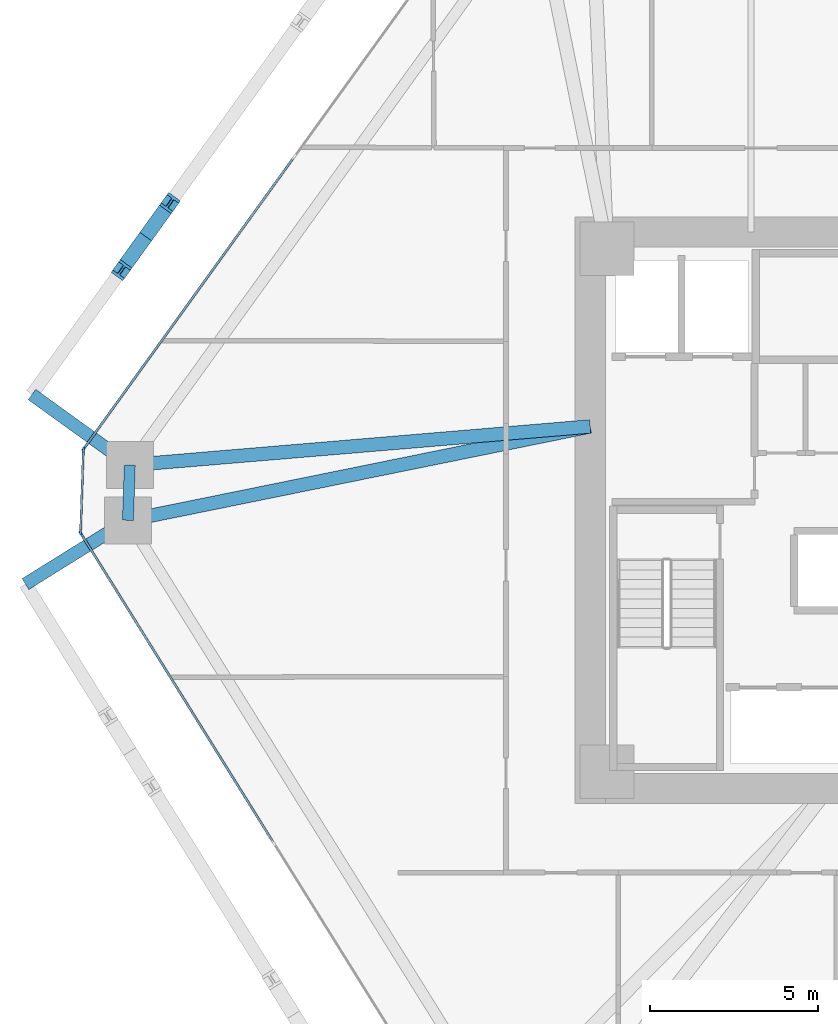
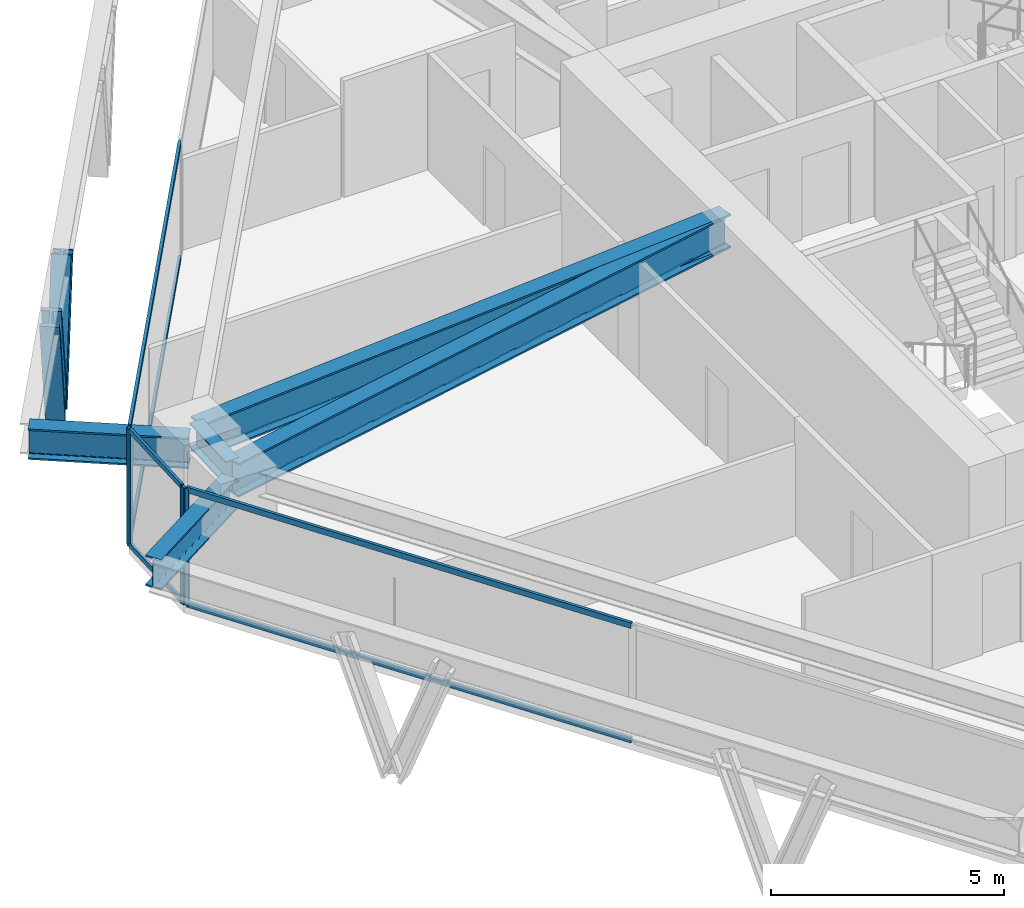
# One storey, part 4 of 15: 12 members, 5 beams, 3 elements without a shape of their own.
"""IFC4 building model written with IfcOpenShell, lengths in metres."""

from ifc_helpers import new_model, si_unit, direction, frame, origin, origin_2d, place, context, subcontext, project, spatial, rectangle, i_section, extrude, source, transform, mapped, material, layer, layer_set, material_profile, profile_set, type_object, type_shapes, element, aggregate, save


model = new_model("IFC4")

# Units and contexts
model_context = context("Model", 3, precision=1e-05, world=origin(), true_north=direction((0.0, 1.0)))
body_context = subcontext(model_context, "Body", "Model", "MODEL_VIEW")
ifc_project = project(units=[si_unit("LENGTHUNIT", "METRE"), si_unit("AREAUNIT", "SQUARE_METRE"), si_unit("VOLUMEUNIT", "CUBIC_METRE"), si_unit("PLANEANGLEUNIT", "RADIAN"), si_unit("MASSUNIT", "GRAM", prefix="KILO")], contexts=[model_context])

# Site, building, storey
site_placement = place(None, origin())
site = spatial("IfcSite", under=ifc_project, at=site_placement, CompositionType="ELEMENT")
building_placement = place(site_placement, origin())
building = spatial("IfcBuilding", under=site, at=building_placement, Name="Durnholm Broadcast Tower", CompositionType="ELEMENT")
storey_placement = place(building_placement, frame((0.0, 0.0, 42.300048828125)))
storey = spatial("IfcBuildingStorey", under=building, at=storey_placement, Name="L09", CompositionType="ELEMENT", Elevation=42.300048828125)

# Beams
ifc_material_1 = material(Name="Steel ASTM A992 Grade 50", Category="steel")
ifc_material_profile_1 = material_profile(ifc_material_1, i_section(OverallWidth=0.3291015625, OverallDepth=0.635009765625, WebThickness=0.017822265625, FlangeThickness=0.031005859375, FilletRadius=0.02783203125, at=origin_2d()), Name="W24X162")
ifc_profile_set_1 = profile_set([ifc_material_profile_1], Name="Steel ASTM A992 Grade 50")
beam_type_1 = type_object("IfcBeamType", Name="STL-SP-W24X162", PredefinedType="SPANDREL", material=ifc_profile_set_1)
shared_shape_1 = source(origin(), body_context, "Body", "SweptSolid", [
    extrude(i_section(OverallWidth=0.3291015625, OverallDepth=0.635009765625, WebThickness=0.017822265625, FlangeThickness=0.031005859375, FilletRadius=0.02783203125, at=origin_2d()), origin(), (0.0, 0.0, 1.0), 1.648193359375),
])
type_shapes(beam_type_1, [shared_shape_1])
beam_1_placement = place(storey_placement, frame((-24.0908203125, -0.2998046875, 2.7275390625), z_axis=(0.033921477804, 0.999424501072, 0.0), x_axis=(-0.999424501072, 0.033921477804, 0.0)))
element("IfcBeam", 1, at=beam_1_placement, inside=storey, type_object=beam_type_1, Name="L09 perimeter spandrel girder 02", PredefinedType="SPANDREL", context=body_context, shape_type="MappedRepresentation", body=[
    mapped(shared_shape_1, transform((0.0, 0.0, 0.0), x_axis=(1.0, 0.0, 0.0), y_axis=(0.0, 1.0, 0.0), z_axis=(0.0, 0.0, 1.0), scale=1.0)),
])
ifc_material_profile_2 = material_profile(ifc_material_1, i_section(OverallWidth=0.404052734375, OverallDepth=0.885009765625, WebThickness=0.0244140625, FlangeThickness=0.0439453125, FilletRadius=0.03564453125, at=origin_2d()), Name="W33X291")
ifc_profile_set_2 = profile_set([ifc_material_profile_2], Name="Steel ASTM A992 Grade 50")
beam_type_2 = type_object("IfcBeamType", Name="STL-GR-W33X291", PredefinedType="USERDEFINED", material=ifc_profile_set_2)
shared_shape_2 = source(origin(), body_context, "Body", "SweptSolid", [
    extrude(i_section(OverallWidth=0.404052734375, OverallDepth=0.885009765625, WebThickness=0.0244140625, FlangeThickness=0.0439453125, FilletRadius=0.03564453125, at=origin_2d()), origin(), (0.0, 0.0, 1.0), 14.072021484375),
])
beam_2_placement = place(storey_placement, frame((-10.300048828125, 2.5, 2.6025390625), z_axis=(-0.980007356767, -0.198961254225, 0.0), x_axis=(0.198961254225, -0.980007356767, 0.0)))
element("IfcBeam", 2, at=beam_2_placement, inside=storey, type_object=beam_type_2, Name="L09 radial primary floor girder 02", ObjectType="GIRDER", PredefinedType="USERDEFINED", context=body_context, shape_type="MappedRepresentation", body=[
    mapped(shared_shape_2, transform((0.0, 0.0, 0.0), x_axis=(1.0, 0.0, 0.0), y_axis=(0.0, 1.0, 0.0), z_axis=(0.0, 0.0, 1.0), scale=1.0)),
])
shared_shape_3 = source(origin(), body_context, "Body", "SweptSolid", [
    extrude(i_section(OverallWidth=0.404052734375, OverallDepth=0.885009765625, WebThickness=0.0244140625, FlangeThickness=0.0439453125, FilletRadius=0.03564453125, at=origin_2d()), origin(), (0.0, 0.0, 1.0), 13.783203125),
])
type_shapes(beam_type_2, [shared_shape_2, shared_shape_3])
beam_3_placement = place(storey_placement, frame((-10.300048828125, 2.5, 2.6025390625), z_axis=(-0.996497460403, -0.083623031579, 0.0), x_axis=(0.083623031579, -0.996497460403, 0.0)))
element("IfcBeam", 3, at=beam_3_placement, inside=storey, type_object=beam_type_2, Name="L09 radial primary floor girder 03", ObjectType="GIRDER", PredefinedType="USERDEFINED", context=body_context, shape_type="MappedRepresentation", body=[
    mapped(shared_shape_3, transform((0.0, 0.0, 0.0), x_axis=(1.0, 0.0, 0.0), y_axis=(0.0, 1.0, 0.0), z_axis=(0.0, 0.0, 1.0), scale=1.0)),
])
ifc_material_profile_3 = material_profile(ifc_material_1, i_section(OverallWidth=0.385009765625, OverallDepth=0.802978515625, WebThickness=0.023681640625, FlangeThickness=0.0419921875, FilletRadius=0.032958984375, at=origin_2d()), Name="W30X261")
ifc_profile_set_3 = profile_set([ifc_material_profile_3], Name="Steel ASTM A992 Grade 50")
beam_type_3 = type_object("IfcBeamType", Name="BM-EXO-TIE", PredefinedType="USERDEFINED", material=ifc_profile_set_3)
shared_shape_4 = source(origin(), body_context, "Body", "SweptSolid", [
    extrude(i_section(OverallWidth=0.385009765625, OverallDepth=0.802978515625, WebThickness=0.023681640625, FlangeThickness=0.0419921875, FilletRadius=0.032958984375, at=origin_2d()), origin(), (0.0, 0.0, 1.0), 3.4560546875),
])
beam_4_placement = place(storey_placement, frame((-24.212890625, -0.375732421875, 2.30859375), z_axis=(-0.848874183218, -0.528594949906, 0.0), x_axis=(0.528594949906, -0.848874183218, 0.0)))
element("IfcBeam", 4, at=beam_4_placement, inside=storey, type_object=beam_type_3, Name="L09 exoskeleton stand-off tie bracket F6.1", ObjectType="GIRDER", PredefinedType="USERDEFINED", context=body_context, shape_type="MappedRepresentation", body=[
    mapped(shared_shape_4, transform((0.0, 0.0, 0.0), x_axis=(1.0, 0.0, 0.0), y_axis=(0.0, 1.0, 0.0), z_axis=(0.0, 0.0, 1.0), scale=1.0)),
])
shared_shape_5 = source(origin(), body_context, "Body", "SweptSolid", [
    extrude(i_section(OverallWidth=0.385009765625, OverallDepth=0.802978515625, WebThickness=0.023681640625, FlangeThickness=0.0419921875, FilletRadius=0.032958984375, at=origin_2d()), origin(), (0.0, 0.0, 1.0), 3.455810546875),
])
type_shapes(beam_type_3, [shared_shape_4, shared_shape_5])
beam_5_placement = place(storey_placement, frame((-24.15185546875, 1.431396484375, 2.30859375), z_axis=(-0.811133512552, 0.584861030344, 0.0), x_axis=(-0.584861030344, -0.811133512552, 0.0)))
element("IfcBeam", 5, at=beam_5_placement, inside=storey, type_object=beam_type_3, Name="L09 exoskeleton stand-off tie bracket F5.2", ObjectType="GIRDER", PredefinedType="USERDEFINED", context=body_context, shape_type="MappedRepresentation", body=[
    mapped(shared_shape_5, transform((0.0, 0.0, 0.0), x_axis=(1.0, 0.0, 0.0), y_axis=(0.0, 1.0, 0.0), z_axis=(0.0, 0.0, 1.0), scale=1.0)),
])

# Members
ifc_material_2 = material(Name="Steel ASTM A913 Grade 65", Category="steel")
ifc_material_profile_4 = material_profile(ifc_material_2, i_section(OverallWidth=0.43212890625, OverallDepth=0.497802734375, WebThickness=0.0556640625, FlangeThickness=0.0888671875, FilletRadius=0.030517578125, at=origin_2d()), Name="W14X500")
ifc_profile_set_4 = profile_set([ifc_material_profile_4], Name="Steel ASTM A913 Grade 65")
member_type_1 = type_object("IfcMemberType", Name="STL-DG-W14X500", PredefinedType="BRACE", material=ifc_profile_set_4)
shared_shape_6 = source(origin(), body_context, "Body", "SweptSolid", [
    extrude(i_section(OverallWidth=0.43212890625, OverallDepth=0.497802734375, WebThickness=0.0556640625, FlangeThickness=0.0888671875, FilletRadius=0.030517578125, at=origin_2d()), origin(), (0.0, 0.0, 1.0), 3.523193359375),
])
type_shapes(member_type_1, [shared_shape_6])
for number, where, z_axis, x_axis, name in (
    (6, (-23.5595703125, 8.16259765625, -0.991455078125), (0.204839138341, 0.284044529113, 0.93667477434), (-0.81109123444, 0.58491966065, 0.0), "L09 stand-off diagrid brace F5.D2.1"),
    (7, (-23.5595703125, 8.16259765625, -0.991455078125), (-0.20477274847, -0.284048560399, 0.936688068046), (0.811185111535, -0.584789461963, 0.0), "L09 stand-off diagrid brace F5.D2.2"),
):
    element("IfcMember", number, at=place(storey_placement, frame(where, z_axis=z_axis, x_axis=x_axis)), inside=storey, type_object=member_type_1, Name=name, PredefinedType="BRACE", context=body_context, shape_type="MappedRepresentation", body=[
        mapped(shared_shape_6, transform((0.0, 0.0, 0.0), x_axis=(1.0, 0.0, 0.0), y_axis=(0.0, 1.0, 0.0), z_axis=(0.0, 0.0, 1.0), scale=1.0)),
    ])

# Curtain wall, members
ifc_material_3 = material(Name="Aluminium and Solar Control IGU", Category="aluminium")
ifc_layer_1 = layer(ifc_material_3, 0.1650390625)
ifc_layer_set_1 = layer_set([ifc_layer_1], Name="Aluminium and Solar Control IGU")
curtain_wall_type_1 = type_object("IfcCurtainWallType", Name="CW-SYS-5", PredefinedType="NOTDEFINED", material=ifc_layer_set_1)
curtain_wall_1_placement = place(storey_placement, origin())
curtain_wall_1 = element("IfcCurtainWall", 8, at=curtain_wall_1_placement, inside=storey, type_object=curtain_wall_type_1, Name="L09 curtain wall CW-CORNER CW-L09-CRN-01", PredefinedType="NOTDEFINED")
ifc_material_4 = material(Name="Aluminium 6063-T6", Category="aluminium")
ifc_material_profile_5 = material_profile(ifc_material_4, rectangle(XDim=0.06494140625, YDim=0.1650390625, at=origin_2d()), Name="CWM65X165")
ifc_profile_set_5 = profile_set([ifc_material_profile_5], Name="Aluminium 6063-T6")
member_type_2 = type_object("IfcMemberType", Name="CW-SYS-5-MUL", PredefinedType="MULLION", material=ifc_profile_set_5)
shared_shape_7 = source(origin(), body_context, "Body", "SweptSolid", [
    extrude(rectangle(XDim=0.06494140625, YDim=0.1650390625, at=origin_2d()), origin(), (0.0, 0.0, 1.0), 3.06005859375),
])
type_shapes(member_type_2, [shared_shape_7])
member_1_placement = place(storey_placement, frame((-25.50341796875, -0.6455078125, 0.0), z_axis=(0.0, 0.0, 1.0), x_axis=(-0.999427277772, 0.033839569233, 0.0)))
member_1 = element("IfcMember", 9, at=member_1_placement, type_object=member_type_2, Name="CW-CORNER mullion 1", PredefinedType="MULLION", context=body_context, shape_type="MappedRepresentation", body=[
    mapped(shared_shape_7, transform((0.0, 0.0, 0.0), x_axis=(1.0, 0.0, 0.0), y_axis=(0.0, 1.0, 0.0), z_axis=(0.0, 0.0, 1.0), scale=1.0)),
])
member_2_placement = place(storey_placement, frame((-25.4208984375, 1.7880859375, 0.0), z_axis=(0.0, 0.0, 1.0), x_axis=(-0.999427277772, 0.033839569233, 0.0)))
member_2 = element("IfcMember", 10, at=member_2_placement, type_object=member_type_2, Name="CW-CORNER mullion 2", PredefinedType="MULLION", context=body_context, shape_type="MappedRepresentation", body=[
    mapped(shared_shape_7, transform((0.0, 0.0, 0.0), x_axis=(1.0, 0.0, 0.0), y_axis=(0.0, 1.0, 0.0), z_axis=(0.0, 0.0, 1.0), scale=1.0)),
])
ifc_material_profile_6 = material_profile(ifc_material_4, rectangle(XDim=0.06494140625, YDim=0.1298828125, at=origin_2d()), Name="CWT65X130")
ifc_profile_set_6 = profile_set([ifc_material_profile_6], Name="Aluminium 6063-T6")
member_type_3 = type_object("IfcMemberType", Name="CW-SYS-5-TRN", PredefinedType="USERDEFINED", material=ifc_profile_set_6)
shared_shape_8 = source(origin(), body_context, "Body", "SweptSolid", [
    extrude(rectangle(XDim=0.06494140625, YDim=0.1298828125, at=origin_2d()), origin(), (0.0, 0.0, 1.0), 2.3701171875),
])
type_shapes(member_type_3, [shared_shape_8])
member_3_placement = place(storey_placement, frame((-25.502197265625, -0.613037109375, 0.032470703125), z_axis=(0.033788158898, 0.999429017148, 0.0), x_axis=(-0.999429017148, 0.033788158898, 0.0)))
member_3 = element("IfcMember", 11, at=member_3_placement, type_object=member_type_3, Name="CW-CORNER transom 1.1", ObjectType="TRANSOM", PredefinedType="USERDEFINED", context=body_context, shape_type="MappedRepresentation", body=[
    mapped(shared_shape_8, transform((0.0, 0.0, 0.0), x_axis=(1.0, 0.0, 0.0), y_axis=(0.0, 1.0, 0.0), z_axis=(0.0, 0.0, 1.0), scale=1.0)),
])
member_4_placement = place(storey_placement, frame((-25.502197265625, -0.613037109375, 3.02734375), z_axis=(0.033788158898, 0.999429017148, 0.0), x_axis=(-0.999429017148, 0.033788158898, 0.0)))
member_4 = element("IfcMember", 12, at=member_4_placement, type_object=member_type_3, Name="CW-CORNER transom 1.2", ObjectType="TRANSOM", PredefinedType="USERDEFINED", context=body_context, shape_type="MappedRepresentation", body=[
    mapped(shared_shape_8, transform((0.0, 0.0, 0.0), x_axis=(1.0, 0.0, 0.0), y_axis=(0.0, 1.0, 0.0), z_axis=(0.0, 0.0, 1.0), scale=1.0)),
])
aggregate(curtain_wall_1, [member_1, member_2, member_3, member_4])

# Curtain wall, member
ifc_layer_2 = layer(ifc_material_3, 0.18994140625)
ifc_layer_set_2 = layer_set([ifc_layer_2], Name="Aluminium and Solar Control IGU")
curtain_wall_type_2 = type_object("IfcCurtainWallType", Name="CW-SYS-3", PredefinedType="NOTDEFINED", material=ifc_layer_set_2)
curtain_wall_2_placement = place(storey_placement, origin())
curtain_wall_2 = element("IfcCurtainWall", 13, at=curtain_wall_2_placement, inside=storey, type_object=curtain_wall_type_2, Name="L09 curtain wall CW-Z12-VIS CW-L09-F02", PredefinedType="NOTDEFINED")
ifc_material_profile_7 = material_profile(ifc_material_4, rectangle(XDim=0.070068359375, YDim=0.18994140625, at=origin_2d()), Name="CWM70X190")
ifc_profile_set_7 = profile_set([ifc_material_profile_7], Name="Aluminium 6063-T6")
member_type_4 = type_object("IfcMemberType", Name="CW-SYS-3-MUL", PredefinedType="MULLION", material=ifc_profile_set_7)
shared_shape_9 = source(origin(), body_context, "Body", "SweptSolid", [
    extrude(rectangle(XDim=0.070068359375, YDim=0.18994140625, at=origin_2d()), origin(), (0.0, 0.0, 1.0), 3.06005859375),
])
type_shapes(member_type_4, [shared_shape_9])
member_5_placement = place(storey_placement, frame((-25.3994140625, 1.848876953125, 0.0), z_axis=(0.0, 0.0, 1.0), x_axis=(-0.81116057493, 0.584823496176, 0.0)))
member_5 = element("IfcMember", 14, at=member_5_placement, type_object=member_type_4, Name="CW-Z12-VIS mullion 1", PredefinedType="MULLION", context=body_context, shape_type="MappedRepresentation", body=[
    mapped(shared_shape_9, transform((0.0, 0.0, 0.0), x_axis=(1.0, 0.0, 0.0), y_axis=(0.0, 1.0, 0.0), z_axis=(0.0, 0.0, 1.0), scale=1.0)),
])

curtain_wall_3_placement = place(storey_placement, origin())
curtain_wall_3 = element("IfcCurtainWall", 15, at=curtain_wall_3_placement, inside=storey, type_object=curtain_wall_type_2, Name="L09 curtain wall CW-Z12-VIS CW-L09-F12", PredefinedType="NOTDEFINED")
member_6_placement = place(storey_placement, frame((-25.48583984375, -0.707763671875, 0.0), z_axis=(0.0, 0.0, 1.0), x_axis=(-0.848875785503, -0.528592376777, 0.0)))
member_6 = element("IfcMember", 16, at=member_6_placement, type_object=member_type_4, Name="CW-Z12-VIS mullion 3", PredefinedType="MULLION", context=body_context, shape_type="MappedRepresentation", body=[
    mapped(shared_shape_9, transform((0.0, 0.0, 0.0), x_axis=(1.0, 0.0, 0.0), y_axis=(0.0, 1.0, 0.0), z_axis=(0.0, 0.0, 1.0), scale=1.0)),
])

# Member
ifc_material_profile_8 = material_profile(ifc_material_4, rectangle(XDim=0.070068359375, YDim=0.14990234375, at=origin_2d()), Name="CWT70X150")
ifc_profile_set_8 = profile_set([ifc_material_profile_8], Name="Aluminium 6063-T6")
member_type_5 = type_object("IfcMemberType", Name="CW-SYS-3-TRN", PredefinedType="USERDEFINED", material=ifc_profile_set_8)
shared_shape_10 = source(origin(), body_context, "Body", "SweptSolid", [
    extrude(rectangle(XDim=0.070068359375, YDim=0.14990234375, at=origin_2d()), origin(), (0.0, 0.0, 1.0), 10.6455078125),
])
member_7_placement = place(storey_placement, frame((-25.37890625, 1.877197265625, 0.034912109375), z_axis=(0.584812103659, 0.811168788486, 0.0), x_axis=(-0.811168788486, 0.584812103659, 0.0)))
member_7 = element("IfcMember", 17, at=member_7_placement, type_object=member_type_5, Name="CW-Z12-VIS transom 1.1", ObjectType="TRANSOM", PredefinedType="USERDEFINED", context=body_context, shape_type="MappedRepresentation", body=[
    mapped(shared_shape_10, transform((0.0, 0.0, 0.0), x_axis=(1.0, 0.0, 0.0), y_axis=(0.0, 1.0, 0.0), z_axis=(0.0, 0.0, 1.0), scale=1.0)),
])

member_8_placement = place(storey_placement, frame((-25.37890625, 1.877197265625, 3.02490234375), z_axis=(0.584812103659, 0.811168788486, 0.0), x_axis=(-0.811168788486, 0.584812103659, 0.0)))
member_8 = element("IfcMember", 18, at=member_8_placement, type_object=member_type_5, Name="CW-Z12-VIS transom 1.2", ObjectType="TRANSOM", PredefinedType="USERDEFINED", context=body_context, shape_type="MappedRepresentation", body=[
    mapped(shared_shape_10, transform((0.0, 0.0, 0.0), x_axis=(1.0, 0.0, 0.0), y_axis=(0.0, 1.0, 0.0), z_axis=(0.0, 0.0, 1.0), scale=1.0)),
])

aggregate(curtain_wall_2, [member_5, member_7, member_8])

shared_shape_11 = source(origin(), body_context, "Body", "SweptSolid", [
    extrude(rectangle(XDim=0.070068359375, YDim=0.14990234375, at=origin_2d()), origin(), (0.0, 0.0, 1.0), 10.796630859375),
])
type_shapes(member_type_5, [shared_shape_10, shared_shape_11])
member_9_placement = place(storey_placement, frame((-19.760498046875, -9.902587890625, 0.034912109375), z_axis=(-0.528575362968, 0.848886379714, 0.0), x_axis=(-0.848886379714, -0.528575362968, 0.0)))
member_9 = element("IfcMember", 19, at=member_9_placement, type_object=member_type_5, Name="CW-Z12-VIS transom 2.1", ObjectType="TRANSOM", PredefinedType="USERDEFINED", context=body_context, shape_type="MappedRepresentation", body=[
    mapped(shared_shape_11, transform((0.0, 0.0, 0.0), x_axis=(1.0, 0.0, 0.0), y_axis=(0.0, 1.0, 0.0), z_axis=(0.0, 0.0, 1.0), scale=1.0)),
])

member_10_placement = place(storey_placement, frame((-19.760498046875, -9.902587890625, 3.02490234375), z_axis=(-0.528575362968, 0.848886379714, 0.0), x_axis=(-0.848886379714, -0.528575362968, 0.0)))
member_10 = element("IfcMember", 20, at=member_10_placement, type_object=member_type_5, Name="CW-Z12-VIS transom 2.2", ObjectType="TRANSOM", PredefinedType="USERDEFINED", context=body_context, shape_type="MappedRepresentation", body=[
    mapped(shared_shape_11, transform((0.0, 0.0, 0.0), x_axis=(1.0, 0.0, 0.0), y_axis=(0.0, 1.0, 0.0), z_axis=(0.0, 0.0, 1.0), scale=1.0)),
])

aggregate(curtain_wall_3, [member_6, member_9, member_10])

save(model, "model.ifc")
